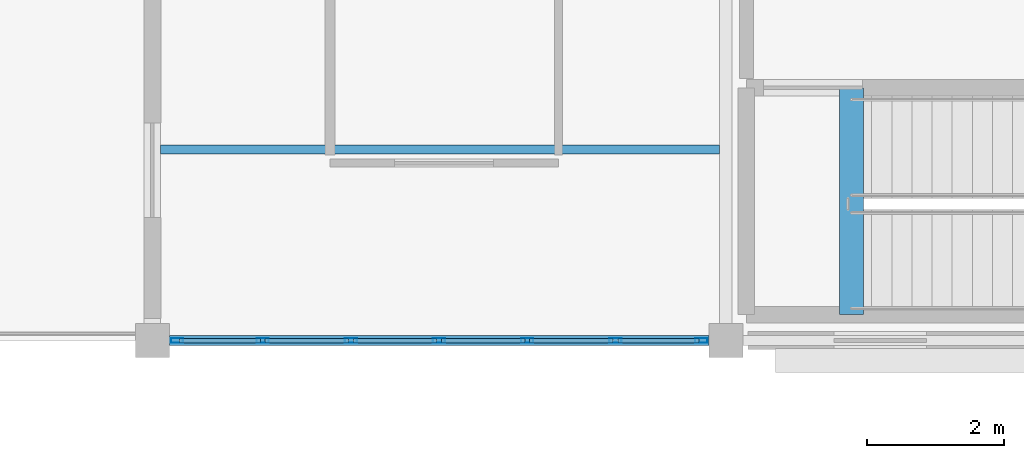
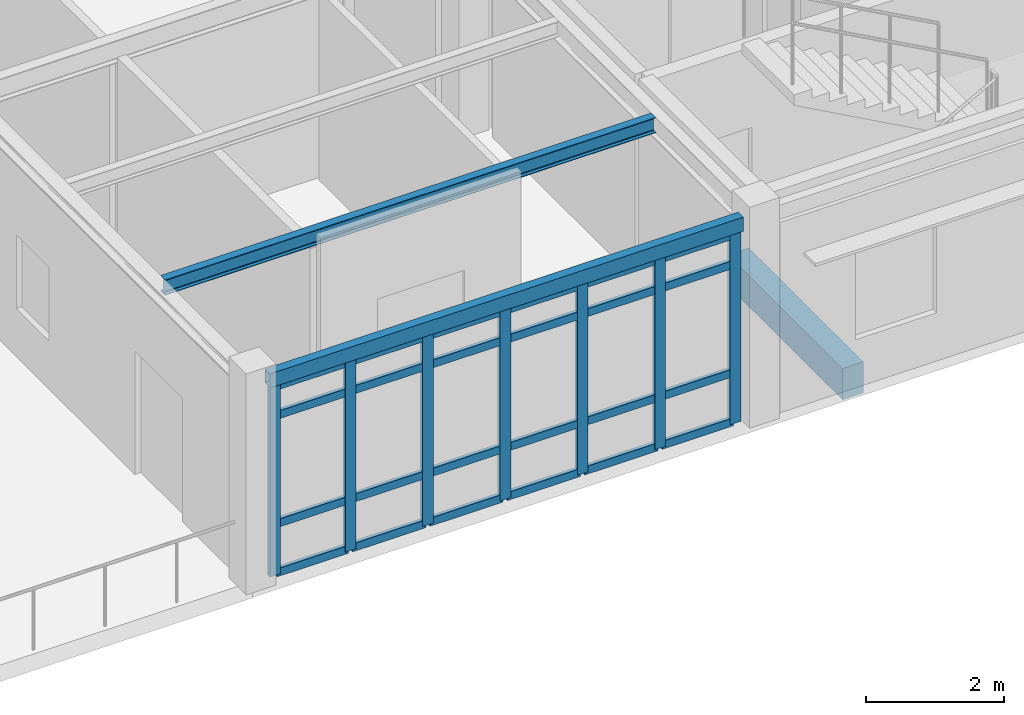
# One storey, part 12 of 53: 31 members, 3 beams, 1 element without a shape of its own.
"""IFC4 building model written with IfcOpenShell, lengths in metres."""

from ifc_helpers import new_model, si_unit, direction, frame, origin, origin_2d, place, context, subcontext, project, spatial, rectangle, hollow_rectangle, i_section, extrude, material, layer, layer_set, material_profile, profile_set, type_object, element, aggregate, save


model = new_model("IFC4")

# Units and contexts
model_context = context("Model", 3, precision=1e-05, world=origin(), true_north=direction((0.0, 1.0)))
body_context = subcontext(model_context, "Body", "Model", "MODEL_VIEW")
ifc_project = project(units=[si_unit("LENGTHUNIT", "METRE"), si_unit("AREAUNIT", "SQUARE_METRE"), si_unit("VOLUMEUNIT", "CUBIC_METRE"), si_unit("PLANEANGLEUNIT", "RADIAN"), si_unit("MASSUNIT", "GRAM", prefix="KILO")], contexts=[model_context])

# Site, building, storey
site_placement = place(None, origin())
site = spatial("IfcSite", under=ifc_project, at=site_placement, CompositionType="ELEMENT")
building_placement = place(site_placement, origin())
building = spatial("IfcBuilding", under=site, at=building_placement, Name="Bramfleet General Hospital", CompositionType="ELEMENT")
storey_placement = place(building_placement, frame((0.0, 0.0, 26.39990234375)))
storey = spatial("IfcBuildingStorey", under=building, at=storey_placement, Name="L06", CompositionType="ELEMENT", Elevation=26.39990234375)

# Beams
ifc_material_1 = material(Name="Steel S355", Category="steel")
ifc_material_profile_1 = material_profile(ifc_material_1, i_section(OverallWidth=0.135009765625, OverallDepth=0.27001953125, WebThickness=0.006591796875, FlangeThickness=0.01025390625, FilletRadius=0.014892578125, at=origin_2d()), Name="IPE 270")
ifc_profile_set_1 = profile_set([ifc_material_profile_1], Name="Steel S355")
beam_type_1 = type_object("IfcBeamType", Name="BM-IPE270", PredefinedType="JOIST", material=ifc_profile_set_1)
beam_1_placement = place(storey_placement, frame((67.320068359375, 95.199951171875, 3.485107421875), z_axis=(1.0, 0.0, 0.0), x_axis=(0.0, 1.0, 0.0)))
element("IfcBeam", 1, at=beam_1_placement, inside=storey, type_object=beam_type_1, Name="L06 Secondary Joist 08-11-1", PredefinedType="JOIST", context=body_context, shape_type="SweptSolid", body=[
    extrude(i_section(OverallWidth=0.135009765625, OverallDepth=0.27001953125, WebThickness=0.006591796875, FlangeThickness=0.01025390625, FilletRadius=0.014892578125, at=origin_2d()), origin(), (0.0, 0.0, 1.0), 8.18994140625),
])
ifc_material_2 = material(Name="Concrete C35/45", Category="concrete")
ifc_material_profile_2 = material_profile(ifc_material_2, rectangle(XDim=0.35009765625, YDim=0.550048828125, at=origin_2d()), Name="RC BM 550x350")
ifc_profile_set_2 = profile_set([ifc_material_profile_2], Name="Concrete C35/45")
beam_type_2 = type_object("IfcBeamType", Name="BM-RC550", PredefinedType="BEAM", material=ifc_profile_set_2)
beam_2_placement = place(storey_placement, frame((77.43994140625, 92.780029296875, -0.27490234375), z_axis=(0.0, 1.0, 0.0), x_axis=(-1.0, 0.0, 0.0)))
element("IfcBeam", 2, at=beam_2_placement, inside=storey, type_object=beam_type_2, Name="L06 C5 Stairwell Trimmer Beam", PredefinedType="BEAM", context=body_context, shape_type="SweptSolid", body=[
    extrude(rectangle(XDim=0.35009765625, YDim=0.550048828125, at=origin_2d()), origin(), (0.0, 0.0, 1.0), 3.320068359375),
])
ifc_material_profile_3 = material_profile(ifc_material_1, hollow_rectangle(XDim=0.14990234375, YDim=0.25, WallThickness=0.010009765625, at=origin_2d()), Name="RHS 250x150x10.0")
ifc_profile_set_3 = profile_set([ifc_material_profile_3], Name="Steel S355")
beam_type_3 = type_object("IfcBeamType", Name="BM-RHS250", PredefinedType="SPANDREL", material=ifc_profile_set_3)
beam_3_placement = place(storey_placement, frame((67.449951171875, 92.39990234375, 3.4951171875), z_axis=(1.0, 0.0, 0.0), x_axis=(0.0, 1.0, 0.0)))
element("IfcBeam", 3, at=beam_3_placement, inside=storey, type_object=beam_type_3, Name="L06 Grid Beam X 08-11", PredefinedType="SPANDREL", context=body_context, shape_type="SweptSolid", body=[
    extrude(hollow_rectangle(XDim=0.14990234375, YDim=0.25, WallThickness=0.010009765625, at=origin_2d()), origin(), (0.0, 0.0, 1.0), 7.900146484375),
])

# Curtain wall, members
ifc_material_3 = material(Name="Anodised aluminium and low-E triple glazing", Category="aluminium")
ifc_layer = layer(ifc_material_3, 0.179931640625, Name="CWT-CW-15")
ifc_layer_set = layer_set([ifc_layer], Name="Anodised aluminium and low-E triple glazing")
curtain_wall_type = type_object("IfcCurtainWallType", Name="CWT-CW-15", PredefinedType="USERDEFINED", material=ifc_layer_set)
curtain_wall_placement = place(storey_placement, origin())
curtain_wall = element("IfcCurtainWall", 4, at=curtain_wall_placement, inside=storey, type_object=curtain_wall_type, Name="L06 Curtain Wall 213", ObjectType="Stick curtain wall", PredefinedType="USERDEFINED")
ifc_material_4 = material(Name="Anodised aluminium EN AW-6060", Category="aluminium")
ifc_material_profile_4 = material_profile(ifc_material_4, hollow_rectangle(XDim=0.070068359375, YDim=0.179931640625, WallThickness=0.00390625, at=origin_2d()), Name="ALU 180x70x4.0")
ifc_profile_set_4 = profile_set([ifc_material_profile_4], Name="Anodised aluminium EN AW-6060")
member_type_1 = type_object("IfcMemberType", Name="CWM-ALU180", PredefinedType="MULLION", material=ifc_profile_set_4)
member_1_placement = place(storey_placement, frame((75.239990234375, 92.39990234375, 0.0), z_axis=(0.0, 0.0, 1.0), x_axis=(0.0, -1.0, 0.0)))
member_1 = element("IfcMember", 5, at=member_1_placement, type_object=member_type_1, Name="CW-15 mullion 1", PredefinedType="MULLION", context=body_context, shape_type="SweptSolid", body=[
    extrude(hollow_rectangle(XDim=0.070068359375, YDim=0.179931640625, WallThickness=0.00390625, at=origin_2d()), origin(), (0.0, 0.0, 1.0), 3.360107421875),
])
member_2_placement = place(storey_placement, frame((73.9833984375, 92.39990234375, 0.0), z_axis=(0.0, 0.0, 1.0), x_axis=(0.0, -1.0, 0.0)))
member_2 = element("IfcMember", 6, at=member_2_placement, type_object=member_type_1, Name="CW-15 mullion 2", PredefinedType="MULLION", context=body_context, shape_type="SweptSolid", body=[
    extrude(hollow_rectangle(XDim=0.070068359375, YDim=0.179931640625, WallThickness=0.00390625, at=origin_2d()), origin(), (0.0, 0.0, 1.0), 3.360107421875),
])
member_3_placement = place(storey_placement, frame((72.691650390625, 92.39990234375, 0.0), z_axis=(0.0, 0.0, 1.0), x_axis=(0.0, -1.0, 0.0)))
member_3 = element("IfcMember", 7, at=member_3_placement, type_object=member_type_1, Name="CW-15 mullion 3", PredefinedType="MULLION", context=body_context, shape_type="SweptSolid", body=[
    extrude(hollow_rectangle(XDim=0.070068359375, YDim=0.179931640625, WallThickness=0.00390625, at=origin_2d()), origin(), (0.0, 0.0, 1.0), 3.360107421875),
])
member_4_placement = place(storey_placement, frame((71.39990234375, 92.39990234375, 0.0), z_axis=(0.0, 0.0, 1.0), x_axis=(0.0, -1.0, 0.0)))
member_4 = element("IfcMember", 8, at=member_4_placement, type_object=member_type_1, Name="CW-15 mullion 4", PredefinedType="MULLION", context=body_context, shape_type="SweptSolid", body=[
    extrude(hollow_rectangle(XDim=0.070068359375, YDim=0.179931640625, WallThickness=0.00390625, at=origin_2d()), origin(), (0.0, 0.0, 1.0), 3.360107421875),
])
member_5_placement = place(storey_placement, frame((70.1083984375, 92.39990234375, 0.0), z_axis=(0.0, 0.0, 1.0), x_axis=(0.0, -1.0, 0.0)))
member_5 = element("IfcMember", 9, at=member_5_placement, type_object=member_type_1, Name="CW-15 mullion 5", PredefinedType="MULLION", context=body_context, shape_type="SweptSolid", body=[
    extrude(hollow_rectangle(XDim=0.070068359375, YDim=0.179931640625, WallThickness=0.00390625, at=origin_2d()), origin(), (0.0, 0.0, 1.0), 3.360107421875),
])
member_6_placement = place(storey_placement, frame((68.816650390625, 92.39990234375, 0.0), z_axis=(0.0, 0.0, 1.0), x_axis=(0.0, -1.0, 0.0)))
member_6 = element("IfcMember", 10, at=member_6_placement, type_object=member_type_1, Name="CW-15 mullion 6", PredefinedType="MULLION", context=body_context, shape_type="SweptSolid", body=[
    extrude(hollow_rectangle(XDim=0.070068359375, YDim=0.179931640625, WallThickness=0.00390625, at=origin_2d()), origin(), (0.0, 0.0, 1.0), 3.360107421875),
])
member_7_placement = place(storey_placement, frame((67.56005859375, 92.39990234375, 0.0), z_axis=(0.0, 0.0, 1.0), x_axis=(0.0, -1.0, 0.0)))
member_7 = element("IfcMember", 11, at=member_7_placement, type_object=member_type_1, Name="CW-15 mullion 7", PredefinedType="MULLION", context=body_context, shape_type="SweptSolid", body=[
    extrude(hollow_rectangle(XDim=0.070068359375, YDim=0.179931640625, WallThickness=0.00390625, at=origin_2d()), origin(), (0.0, 0.0, 1.0), 3.360107421875),
])
ifc_material_profile_5 = material_profile(ifc_material_4, hollow_rectangle(XDim=0.06494140625, YDim=0.139892578125, WallThickness=0.00390625, at=origin_2d()), Name="ALU 140x65x4.0")
ifc_profile_set_5 = profile_set([ifc_material_profile_5], Name="Anodised aluminium EN AW-6060")
member_type_2 = type_object("IfcMemberType", Name="CWT-ALU140", PredefinedType="USERDEFINED", material=ifc_profile_set_5)
member_8_placement = place(storey_placement, frame((75.205078125, 92.39990234375, 0.03271484375), z_axis=(-1.0, 0.0, 0.0), x_axis=(0.0, -1.0, 0.0)))
member_8 = element("IfcMember", 12, at=member_8_placement, type_object=member_type_2, Name="CW-15 transom 1.1", ObjectType="TRANSOM", PredefinedType="USERDEFINED", context=body_context, shape_type="SweptSolid", body=[
    extrude(hollow_rectangle(XDim=0.06494140625, YDim=0.139892578125, WallThickness=0.00390625, at=origin_2d()), origin(), (0.0, 0.0, 1.0), 1.186767578125),
])
member_9_placement = place(storey_placement, frame((75.205078125, 92.39990234375, 0.900146484375), z_axis=(-1.0, 0.0, 0.0), x_axis=(0.0, -1.0, 0.0)))
member_9 = element("IfcMember", 13, at=member_9_placement, type_object=member_type_2, Name="CW-15 transom 1.2", ObjectType="TRANSOM", PredefinedType="USERDEFINED", context=body_context, shape_type="SweptSolid", body=[
    extrude(hollow_rectangle(XDim=0.06494140625, YDim=0.139892578125, WallThickness=0.00390625, at=origin_2d()), origin(), (0.0, 0.0, 1.0), 1.186767578125),
])
member_10_placement = place(storey_placement, frame((75.205078125, 92.39990234375, 2.81005859375), z_axis=(-1.0, 0.0, 0.0), x_axis=(0.0, -1.0, 0.0)))
member_10 = element("IfcMember", 14, at=member_10_placement, type_object=member_type_2, Name="CW-15 transom 1.3", ObjectType="TRANSOM", PredefinedType="USERDEFINED", context=body_context, shape_type="SweptSolid", body=[
    extrude(hollow_rectangle(XDim=0.06494140625, YDim=0.139892578125, WallThickness=0.00390625, at=origin_2d()), origin(), (0.0, 0.0, 1.0), 1.186767578125),
])
member_11_placement = place(storey_placement, frame((75.205078125, 92.39990234375, 3.32763671875), z_axis=(-1.0, 0.0, 0.0), x_axis=(0.0, -1.0, 0.0)))
member_11 = element("IfcMember", 15, at=member_11_placement, type_object=member_type_2, Name="CW-15 transom 1.4", ObjectType="TRANSOM", PredefinedType="USERDEFINED", context=body_context, shape_type="SweptSolid", body=[
    extrude(hollow_rectangle(XDim=0.06494140625, YDim=0.139892578125, WallThickness=0.00390625, at=origin_2d()), origin(), (0.0, 0.0, 1.0), 1.186767578125),
])
member_12_placement = place(storey_placement, frame((73.9482421875, 92.39990234375, 0.03271484375), z_axis=(-1.0, 0.0, 0.0), x_axis=(0.0, -1.0, 0.0)))
member_12 = element("IfcMember", 16, at=member_12_placement, type_object=member_type_2, Name="CW-15 transom 2.1", ObjectType="TRANSOM", PredefinedType="USERDEFINED", context=body_context, shape_type="SweptSolid", body=[
    extrude(hollow_rectangle(XDim=0.06494140625, YDim=0.139892578125, WallThickness=0.00390625, at=origin_2d()), origin(), (0.0, 0.0, 1.0), 1.2216796875),
])
member_13_placement = place(storey_placement, frame((73.9482421875, 92.39990234375, 0.900146484375), z_axis=(-1.0, 0.0, 0.0), x_axis=(0.0, -1.0, 0.0)))
member_13 = element("IfcMember", 17, at=member_13_placement, type_object=member_type_2, Name="CW-15 transom 2.2", ObjectType="TRANSOM", PredefinedType="USERDEFINED", context=body_context, shape_type="SweptSolid", body=[
    extrude(hollow_rectangle(XDim=0.06494140625, YDim=0.139892578125, WallThickness=0.00390625, at=origin_2d()), origin(), (0.0, 0.0, 1.0), 1.2216796875),
])
member_14_placement = place(storey_placement, frame((73.9482421875, 92.39990234375, 2.81005859375), z_axis=(-1.0, 0.0, 0.0), x_axis=(0.0, -1.0, 0.0)))
member_14 = element("IfcMember", 18, at=member_14_placement, type_object=member_type_2, Name="CW-15 transom 2.3", ObjectType="TRANSOM", PredefinedType="USERDEFINED", context=body_context, shape_type="SweptSolid", body=[
    extrude(hollow_rectangle(XDim=0.06494140625, YDim=0.139892578125, WallThickness=0.00390625, at=origin_2d()), origin(), (0.0, 0.0, 1.0), 1.2216796875),
])
member_15_placement = place(storey_placement, frame((73.9482421875, 92.39990234375, 3.32763671875), z_axis=(-1.0, 0.0, 0.0), x_axis=(0.0, -1.0, 0.0)))
member_15 = element("IfcMember", 19, at=member_15_placement, type_object=member_type_2, Name="CW-15 transom 2.4", ObjectType="TRANSOM", PredefinedType="USERDEFINED", context=body_context, shape_type="SweptSolid", body=[
    extrude(hollow_rectangle(XDim=0.06494140625, YDim=0.139892578125, WallThickness=0.00390625, at=origin_2d()), origin(), (0.0, 0.0, 1.0), 1.2216796875),
])
member_16_placement = place(storey_placement, frame((72.65673828125, 92.39990234375, 0.03271484375), z_axis=(-1.0, 0.0, 0.0), x_axis=(0.0, -1.0, 0.0)))
member_16 = element("IfcMember", 20, at=member_16_placement, type_object=member_type_2, Name="CW-15 transom 3.1", ObjectType="TRANSOM", PredefinedType="USERDEFINED", context=body_context, shape_type="SweptSolid", body=[
    extrude(hollow_rectangle(XDim=0.06494140625, YDim=0.139892578125, WallThickness=0.00390625, at=origin_2d()), origin(), (0.0, 0.0, 1.0), 1.2216796875),
])
member_17_placement = place(storey_placement, frame((72.65673828125, 92.39990234375, 0.900146484375), z_axis=(-1.0, 0.0, 0.0), x_axis=(0.0, -1.0, 0.0)))
member_17 = element("IfcMember", 21, at=member_17_placement, type_object=member_type_2, Name="CW-15 transom 3.2", ObjectType="TRANSOM", PredefinedType="USERDEFINED", context=body_context, shape_type="SweptSolid", body=[
    extrude(hollow_rectangle(XDim=0.06494140625, YDim=0.139892578125, WallThickness=0.00390625, at=origin_2d()), origin(), (0.0, 0.0, 1.0), 1.2216796875),
])
member_18_placement = place(storey_placement, frame((72.65673828125, 92.39990234375, 2.81005859375), z_axis=(-1.0, 0.0, 0.0), x_axis=(0.0, -1.0, 0.0)))
member_18 = element("IfcMember", 22, at=member_18_placement, type_object=member_type_2, Name="CW-15 transom 3.3", ObjectType="TRANSOM", PredefinedType="USERDEFINED", context=body_context, shape_type="SweptSolid", body=[
    extrude(hollow_rectangle(XDim=0.06494140625, YDim=0.139892578125, WallThickness=0.00390625, at=origin_2d()), origin(), (0.0, 0.0, 1.0), 1.2216796875),
])
member_19_placement = place(storey_placement, frame((72.65673828125, 92.39990234375, 3.32763671875), z_axis=(-1.0, 0.0, 0.0), x_axis=(0.0, -1.0, 0.0)))
member_19 = element("IfcMember", 23, at=member_19_placement, type_object=member_type_2, Name="CW-15 transom 3.4", ObjectType="TRANSOM", PredefinedType="USERDEFINED", context=body_context, shape_type="SweptSolid", body=[
    extrude(hollow_rectangle(XDim=0.06494140625, YDim=0.139892578125, WallThickness=0.00390625, at=origin_2d()), origin(), (0.0, 0.0, 1.0), 1.2216796875),
])
member_20_placement = place(storey_placement, frame((71.364990234375, 92.39990234375, 0.03271484375), z_axis=(-1.0, 0.0, 0.0), x_axis=(0.0, -1.0, 0.0)))
member_20 = element("IfcMember", 24, at=member_20_placement, type_object=member_type_2, Name="CW-15 transom 4.1", ObjectType="TRANSOM", PredefinedType="USERDEFINED", context=body_context, shape_type="SweptSolid", body=[
    extrude(hollow_rectangle(XDim=0.06494140625, YDim=0.139892578125, WallThickness=0.00390625, at=origin_2d()), origin(), (0.0, 0.0, 1.0), 1.2216796875),
])
member_21_placement = place(storey_placement, frame((71.364990234375, 92.39990234375, 0.900146484375), z_axis=(-1.0, 0.0, 0.0), x_axis=(0.0, -1.0, 0.0)))
member_21 = element("IfcMember", 25, at=member_21_placement, type_object=member_type_2, Name="CW-15 transom 4.2", ObjectType="TRANSOM", PredefinedType="USERDEFINED", context=body_context, shape_type="SweptSolid", body=[
    extrude(hollow_rectangle(XDim=0.06494140625, YDim=0.139892578125, WallThickness=0.00390625, at=origin_2d()), origin(), (0.0, 0.0, 1.0), 1.2216796875),
])
member_22_placement = place(storey_placement, frame((71.364990234375, 92.39990234375, 2.81005859375), z_axis=(-1.0, 0.0, 0.0), x_axis=(0.0, -1.0, 0.0)))
member_22 = element("IfcMember", 26, at=member_22_placement, type_object=member_type_2, Name="CW-15 transom 4.3", ObjectType="TRANSOM", PredefinedType="USERDEFINED", context=body_context, shape_type="SweptSolid", body=[
    extrude(hollow_rectangle(XDim=0.06494140625, YDim=0.139892578125, WallThickness=0.00390625, at=origin_2d()), origin(), (0.0, 0.0, 1.0), 1.2216796875),
])
member_23_placement = place(storey_placement, frame((71.364990234375, 92.39990234375, 3.32763671875), z_axis=(-1.0, 0.0, 0.0), x_axis=(0.0, -1.0, 0.0)))
member_23 = element("IfcMember", 27, at=member_23_placement, type_object=member_type_2, Name="CW-15 transom 4.4", ObjectType="TRANSOM", PredefinedType="USERDEFINED", context=body_context, shape_type="SweptSolid", body=[
    extrude(hollow_rectangle(XDim=0.06494140625, YDim=0.139892578125, WallThickness=0.00390625, at=origin_2d()), origin(), (0.0, 0.0, 1.0), 1.2216796875),
])
member_24_placement = place(storey_placement, frame((70.0732421875, 92.39990234375, 0.03271484375), z_axis=(-1.0, 0.0, 0.0), x_axis=(0.0, -1.0, 0.0)))
member_24 = element("IfcMember", 28, at=member_24_placement, type_object=member_type_2, Name="CW-15 transom 5.1", ObjectType="TRANSOM", PredefinedType="USERDEFINED", context=body_context, shape_type="SweptSolid", body=[
    extrude(hollow_rectangle(XDim=0.06494140625, YDim=0.139892578125, WallThickness=0.00390625, at=origin_2d()), origin(), (0.0, 0.0, 1.0), 1.2216796875),
])
member_25_placement = place(storey_placement, frame((70.0732421875, 92.39990234375, 0.900146484375), z_axis=(-1.0, 0.0, 0.0), x_axis=(0.0, -1.0, 0.0)))
member_25 = element("IfcMember", 29, at=member_25_placement, type_object=member_type_2, Name="CW-15 transom 5.2", ObjectType="TRANSOM", PredefinedType="USERDEFINED", context=body_context, shape_type="SweptSolid", body=[
    extrude(hollow_rectangle(XDim=0.06494140625, YDim=0.139892578125, WallThickness=0.00390625, at=origin_2d()), origin(), (0.0, 0.0, 1.0), 1.2216796875),
])
member_26_placement = place(storey_placement, frame((70.0732421875, 92.39990234375, 2.81005859375), z_axis=(-1.0, 0.0, 0.0), x_axis=(0.0, -1.0, 0.0)))
member_26 = element("IfcMember", 30, at=member_26_placement, type_object=member_type_2, Name="CW-15 transom 5.3", ObjectType="TRANSOM", PredefinedType="USERDEFINED", context=body_context, shape_type="SweptSolid", body=[
    extrude(hollow_rectangle(XDim=0.06494140625, YDim=0.139892578125, WallThickness=0.00390625, at=origin_2d()), origin(), (0.0, 0.0, 1.0), 1.2216796875),
])
member_27_placement = place(storey_placement, frame((70.0732421875, 92.39990234375, 3.32763671875), z_axis=(-1.0, 0.0, 0.0), x_axis=(0.0, -1.0, 0.0)))
member_27 = element("IfcMember", 31, at=member_27_placement, type_object=member_type_2, Name="CW-15 transom 5.4", ObjectType="TRANSOM", PredefinedType="USERDEFINED", context=body_context, shape_type="SweptSolid", body=[
    extrude(hollow_rectangle(XDim=0.06494140625, YDim=0.139892578125, WallThickness=0.00390625, at=origin_2d()), origin(), (0.0, 0.0, 1.0), 1.2216796875),
])
member_28_placement = place(storey_placement, frame((68.78173828125, 92.39990234375, 0.03271484375), z_axis=(-1.0, 0.0, 0.0), x_axis=(0.0, -1.0, 0.0)))
member_28 = element("IfcMember", 32, at=member_28_placement, type_object=member_type_2, Name="CW-15 transom 6.1", ObjectType="TRANSOM", PredefinedType="USERDEFINED", context=body_context, shape_type="SweptSolid", body=[
    extrude(hollow_rectangle(XDim=0.06494140625, YDim=0.139892578125, WallThickness=0.00390625, at=origin_2d()), origin(), (0.0, 0.0, 1.0), 1.186767578125),
])
member_29_placement = place(storey_placement, frame((68.78173828125, 92.39990234375, 0.900146484375), z_axis=(-1.0, 0.0, 0.0), x_axis=(0.0, -1.0, 0.0)))
member_29 = element("IfcMember", 33, at=member_29_placement, type_object=member_type_2, Name="CW-15 transom 6.2", ObjectType="TRANSOM", PredefinedType="USERDEFINED", context=body_context, shape_type="SweptSolid", body=[
    extrude(hollow_rectangle(XDim=0.06494140625, YDim=0.139892578125, WallThickness=0.00390625, at=origin_2d()), origin(), (0.0, 0.0, 1.0), 1.186767578125),
])
member_30_placement = place(storey_placement, frame((68.78173828125, 92.39990234375, 2.81005859375), z_axis=(-1.0, 0.0, 0.0), x_axis=(0.0, -1.0, 0.0)))
member_30 = element("IfcMember", 34, at=member_30_placement, type_object=member_type_2, Name="CW-15 transom 6.3", ObjectType="TRANSOM", PredefinedType="USERDEFINED", context=body_context, shape_type="SweptSolid", body=[
    extrude(hollow_rectangle(XDim=0.06494140625, YDim=0.139892578125, WallThickness=0.00390625, at=origin_2d()), origin(), (0.0, 0.0, 1.0), 1.186767578125),
])
member_31_placement = place(storey_placement, frame((68.78173828125, 92.39990234375, 3.32763671875), z_axis=(-1.0, 0.0, 0.0), x_axis=(0.0, -1.0, 0.0)))
member_31 = element("IfcMember", 35, at=member_31_placement, type_object=member_type_2, Name="CW-15 transom 6.4", ObjectType="TRANSOM", PredefinedType="USERDEFINED", context=body_context, shape_type="SweptSolid", body=[
    extrude(hollow_rectangle(XDim=0.06494140625, YDim=0.139892578125, WallThickness=0.00390625, at=origin_2d()), origin(), (0.0, 0.0, 1.0), 1.186767578125),
])
aggregate(curtain_wall, [member_1, member_2, member_3, member_4, member_5, member_6, member_7, member_8, member_9, member_10, member_11, member_12, member_13, member_14, member_15, member_16, member_17, member_18, member_19, member_20, member_21, member_22, member_23, member_24, member_25, member_26, member_27, member_28, member_29, member_30, member_31])

save(model, "model.ifc")
